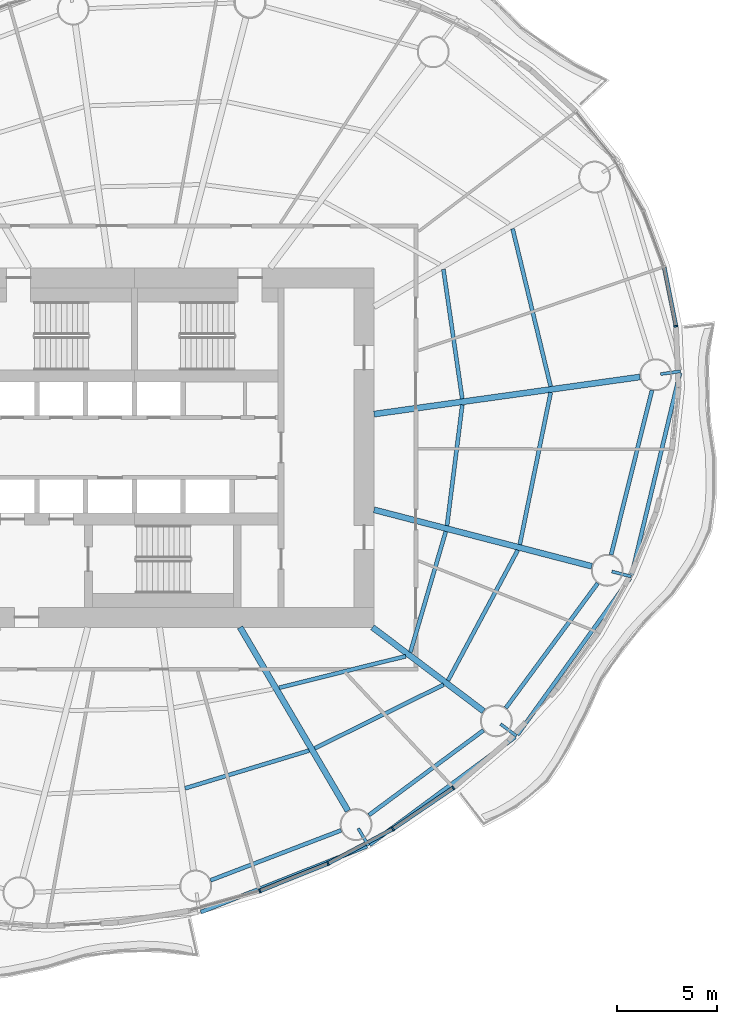
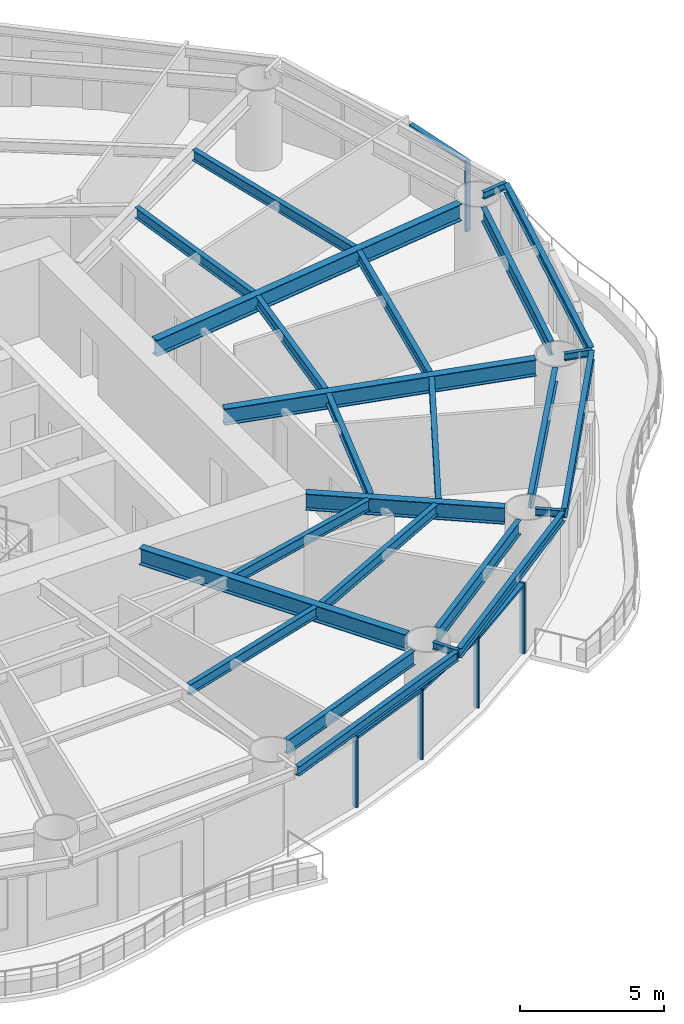
# One storey, part 4 of 14: 25 beams, 9 members, 4 elements without a shape of their own.
"""IFC4 building model written with IfcOpenShell, lengths in metres."""

from ifc_helpers import new_model, si_unit, direction, frame, origin, origin_2d, place, context, subcontext, project, spatial, rectangle, i_section, extrude, material, material_profile, profile_set, type_object, element, aggregate, save


model = new_model("IFC4")

# Units and contexts
model_context = context("Model", 3, precision=1e-05, world=origin(), true_north=direction((0.0, 1.0)))
body_context = subcontext(model_context, "Body", "Model", "MODEL_VIEW")
ifc_project = project(units=[si_unit("LENGTHUNIT", "METRE"), si_unit("AREAUNIT", "SQUARE_METRE"), si_unit("VOLUMEUNIT", "CUBIC_METRE"), si_unit("PLANEANGLEUNIT", "RADIAN"), si_unit("MASSUNIT", "GRAM", prefix="KILO")], contexts=[model_context])

# Site, building, storey
site_placement = place(None, origin())
site = spatial("IfcSite", under=ifc_project, at=site_placement, CompositionType="ELEMENT")
building_placement = place(site_placement, origin())
building = spatial("IfcBuilding", under=site, at=building_placement, Name="Vermilion Reach Broadcast Tower", CompositionType="ELEMENT")
storey_placement = place(building_placement, frame((0.0, 0.0, 131.800048828125)))
storey = spatial("IfcBuildingStorey", under=building, at=storey_placement, Name="L31", CompositionType="ELEMENT", Elevation=131.800048828125)

# Beams
ifc_material_1 = material(Name="Steel S355J2", Category="steel")
ifc_material_profile_1 = material_profile(ifc_material_1, i_section(OverallWidth=0.199951171875, OverallDepth=0.39990234375, WebThickness=0.008056640625, FlangeThickness=0.012939453125, at=origin_2d()), Name="S355J2 HN 400x200x8x13")
ifc_profile_set_1 = profile_set([ifc_material_profile_1], Name="Steel S355J2")
beam_type_1 = type_object("IfcBeamType", Name="EB2 HN 400x200x8x13", PredefinedType="BEAM", material=ifc_profile_set_1)
beam_1_placement = place(storey_placement, frame((-2.67578125, -23.26171875, 3.199951171875), z_axis=(0.929570815112, 0.368643594401, 0.0), x_axis=(-0.368643594401, 0.929570815112, 0.0)))
element("IfcBeam", 1, at=beam_1_placement, inside=storey, type_object=beam_type_1, Name="Edge beam EB2-12", PredefinedType="BEAM", context=body_context, shape_type="SweptSolid", body=[
    extrude(i_section(OverallWidth=0.199951171875, OverallDepth=0.39990234375, WebThickness=0.008056640625, FlangeThickness=0.012939453125, at=origin_2d()), origin(), (0.0, 0.0, 1.0), 8.953857421875),
])
beam_2_placement = place(storey_placement, frame((5.778564453125, -19.88818359375, 3.199951171875), z_axis=(0.803813589862, 0.594881259373, 0.0), x_axis=(-0.594881259373, 0.803813589862, 0.0)))
element("IfcBeam", 2, at=beam_2_placement, inside=storey, type_object=beam_type_1, Name="Edge beam EB2-13", PredefinedType="BEAM", context=body_context, shape_type="SweptSolid", body=[
    extrude(i_section(OverallWidth=0.199951171875, OverallDepth=0.39990234375, WebThickness=0.008056640625, FlangeThickness=0.012939453125, at=origin_2d()), origin(), (0.0, 0.0, 1.0), 9.072265625),
])
beam_3_placement = place(storey_placement, frame((13.177734375, -14.3837890625, 3.199951171875), z_axis=(0.583777873634, 0.811913415492, 0.0), x_axis=(-0.811913415492, 0.583777873634, 0.0)))
element("IfcBeam", 3, at=beam_3_placement, inside=storey, type_object=beam_type_1, Name="Edge beam EB2-14", PredefinedType="BEAM", context=body_context, shape_type="SweptSolid", body=[
    extrude(i_section(OverallWidth=0.199951171875, OverallDepth=0.39990234375, WebThickness=0.008056640625, FlangeThickness=0.012939453125, at=origin_2d()), origin(), (0.0, 0.0, 1.0), 9.682861328125),
])
beam_4_placement = place(storey_placement, frame((18.894775390625, -6.384033203125, 3.199951171875), z_axis=(0.233210643731, 0.972426241753, 0.0), x_axis=(-0.972426241753, 0.233210643731, 0.0)))
element("IfcBeam", 4, at=beam_4_placement, inside=storey, type_object=beam_type_1, Name="Edge beam EB2-15", PredefinedType="BEAM", context=body_context, shape_type="SweptSolid", body=[
    extrude(i_section(OverallWidth=0.199951171875, OverallDepth=0.39990234375, WebThickness=0.008056640625, FlangeThickness=0.012939453125, at=origin_2d()), origin(), (0.0, 0.0, 1.0), 10.4111328125),
])
ifc_material_2 = material(Name="Steel S355J2", Category="steel")
ifc_material_profile_2 = material_profile(ifc_material_2, i_section(OverallWidth=0.300048828125, OverallDepth=0.699951171875, WebThickness=0.012939453125, FlangeThickness=0.02392578125, at=origin_2d()), Name="S355J2 HN 700x300x13x24")
ifc_profile_set_2 = profile_set([ifc_material_profile_2], Name="Steel S355J2")
beam_type_2 = type_object("IfcBeamType", Name="G2 HN 700x300x13x24", PredefinedType="BEAM", material=ifc_profile_set_2)
beam_5_placement = place(storey_placement, frame((-0.709228515625, -9.0, 3.050048828125), z_axis=(0.506783943634, -0.862073102744, 0.0), x_axis=(0.862073102744, 0.506783943634, 0.0)))
element("IfcBeam", 5, at=beam_5_placement, inside=storey, type_object=beam_type_2, Name="Girder G2-13", PredefinedType="BEAM", context=body_context, shape_type="SweptSolid", body=[
    extrude(i_section(OverallWidth=0.300048828125, OverallDepth=0.699951171875, WebThickness=0.012939453125, FlangeThickness=0.02392578125, at=origin_2d()), origin(), (0.0, 0.0, 1.0), 10.661865234375),
])
beam_6_placement = place(storey_placement, frame((5.921630859375, -9.0, 3.050048828125), z_axis=(0.798113534072, -0.602507084382, 0.0), x_axis=(0.602507084382, 0.798113534072, 0.0)))
element("IfcBeam", 6, at=beam_6_placement, inside=storey, type_object=beam_type_2, Name="Girder G2-14", PredefinedType="BEAM", context=body_context, shape_type="SweptSolid", body=[
    extrude(i_section(OverallWidth=0.300048828125, OverallDepth=0.699951171875, WebThickness=0.012939453125, FlangeThickness=0.02392578125, at=origin_2d()), origin(), (0.0, 0.0, 1.0), 6.971923828125),
])
beam_7_placement = place(storey_placement, frame((6.0, -3.114501953125, 3.050048828125), z_axis=(0.967926079816, -0.2512351568, 0.0), x_axis=(0.2512351568, 0.967926079816, 0.0)))
element("IfcBeam", 7, at=beam_7_placement, inside=storey, type_object=beam_type_2, Name="Girder G2-15", PredefinedType="BEAM", context=body_context, shape_type="SweptSolid", body=[
    extrude(i_section(OverallWidth=0.300048828125, OverallDepth=0.699951171875, WebThickness=0.012939453125, FlangeThickness=0.02392578125, at=origin_2d()), origin(), (0.0, 0.0, 1.0), 11.265625),
])
beam_8_placement = place(storey_placement, frame((6.0, 1.67578125, 3.050048828125), z_axis=(0.990389457618, 0.138306623986, 0.0), x_axis=(-0.138306623986, 0.990389457618, 0.0)))
element("IfcBeam", 8, at=beam_8_placement, inside=storey, type_object=beam_type_2, Name="Girder G2-16", PredefinedType="BEAM", context=body_context, shape_type="SweptSolid", body=[
    extrude(i_section(OverallWidth=0.300048828125, OverallDepth=0.699951171875, WebThickness=0.012939453125, FlangeThickness=0.02392578125, at=origin_2d()), origin(), (0.0, 0.0, 1.0), 13.445556640625),
])
ifc_material_3 = material(Name="Steel S355J2", Category="steel")
ifc_material_profile_3 = material_profile(ifc_material_3, i_section(OverallWidth=0.14990234375, OverallDepth=0.300048828125, WebThickness=0.006591796875, FlangeThickness=0.009033203125, at=origin_2d()), Name="S355J2 HN 300x150x6.5x9")
ifc_profile_set_3 = profile_set([ifc_material_profile_3], Name="Steel S355J2")
beam_type_3 = type_object("IfcBeamType", Name="GS2 HN 300x150x6.5x9", PredefinedType="BEAM", material=ifc_profile_set_3)
for number, where, z_axis, x_axis, name in (
    (9, (5.211181640625, -19.071044921875, 3.25), (0.506828068037, -0.862047161964, 0.0), (0.862047161964, 0.506828068037, 0.0), "Cantilever stub GS2-13"),
    (10, (12.3359375, -13.842041015625, 3.25), (0.798091683473, -0.602536027779, 0.0), (0.602536027779, 0.798091683473, 0.0), "Cantilever stub GS2-14"),
):
    element("IfcBeam", number, at=place(storey_placement, frame(where, z_axis=z_axis, x_axis=x_axis)), inside=storey, type_object=beam_type_3, Name=name, PredefinedType="BEAM", context=body_context, shape_type="SweptSolid", body=[
        extrude(i_section(OverallWidth=0.14990234375, OverallDepth=0.300048828125, WebThickness=0.006591796875, FlangeThickness=0.009033203125, at=origin_2d()), origin(), (0.0, 0.0, 1.0), 1.0),
    ])
for number, where, z_axis, x_axis, name in (
    (11, (17.909423828125, -6.20556640625, 3.25), (0.967919958758, -0.251258738033, 0.0), (0.251258738033, 0.967919958758, 0.0), "Cantilever stub GS2-15"),
    (12, (20.351318359375, 3.679931640625, 3.25), (0.990369889118, 0.138446678286, 0.0), (-0.138446678286, 0.990369889118, 0.0), "Cantilever stub GS2-16"),
):
    element("IfcBeam", number, at=place(storey_placement, frame(where, z_axis=z_axis, x_axis=x_axis)), inside=storey, type_object=beam_type_3, Name=name, PredefinedType="BEAM", context=body_context, shape_type="SweptSolid", body=[
        extrude(i_section(OverallWidth=0.14990234375, OverallDepth=0.300048828125, WebThickness=0.006591796875, FlangeThickness=0.009033203125, at=origin_2d()), origin(), (0.0, 0.0, 1.0), 0.999755859375),
    ])
ifc_material_4 = material(Name="Steel S355J2", Category="steel")
ifc_material_profile_4 = material_profile(ifc_material_4, i_section(OverallWidth=0.199951171875, OverallDepth=0.60009765625, WebThickness=0.010986328125, FlangeThickness=0.01708984375, at=origin_2d()), Name="S355J2 HN 600x200x11x17")
ifc_profile_set_4 = profile_set([ifc_material_profile_4], Name="Steel S355J2")
beam_type_4 = type_object("IfcBeamType", Name="RB2 HN 600x200x11x17", PredefinedType="BEAM", material=ifc_profile_set_4)
beam_9_placement = place(storey_placement, frame((-2.186767578125, -21.669677734375, 3.099853515625), z_axis=(0.933939237212, 0.357431813353, 0.0), x_axis=(-0.357431813353, 0.933939237212, 0.0)))
element("IfcBeam", 13, at=beam_9_placement, inside=storey, type_object=beam_type_4, Name="Ring beam RB2-12", PredefinedType="BEAM", context=body_context, shape_type="SweptSolid", body=[
    extrude(i_section(OverallWidth=0.199951171875, OverallDepth=0.60009765625, WebThickness=0.010986328125, FlangeThickness=0.01708984375, at=origin_2d()), origin(), (0.0, 0.0, 1.0), 7.001953125),
])
beam_10_placement = place(storey_placement, frame((5.74267578125, -18.4052734375, 3.099853515625), z_axis=(0.803832742218, 0.594855379515, 0.0), x_axis=(-0.594855379515, 0.803832742218, 0.0)))
element("IfcBeam", 14, at=beam_10_placement, inside=storey, type_object=beam_type_4, Name="Ring beam RB2-13", PredefinedType="BEAM", context=body_context, shape_type="SweptSolid", body=[
    extrude(i_section(OverallWidth=0.199951171875, OverallDepth=0.60009765625, WebThickness=0.010986328125, FlangeThickness=0.01708984375, at=origin_2d()), origin(), (0.0, 0.0, 1.0), 7.13916015625),
])
beam_11_placement = place(storey_placement, frame((12.59912109375, -13.03857421875, 3.099853515625), z_axis=(0.593250534798, 0.80501788984, 0.0), x_axis=(-0.80501788984, 0.593250534798, 0.0)))
element("IfcBeam", 15, at=beam_11_placement, inside=storey, type_object=beam_type_4, Name="Ring beam RB2-14", PredefinedType="BEAM", context=body_context, shape_type="SweptSolid", body=[
    extrude(i_section(OverallWidth=0.199951171875, OverallDepth=0.60009765625, WebThickness=0.010986328125, FlangeThickness=0.01708984375, at=origin_2d()), origin(), (0.0, 0.0, 1.0), 7.76220703125),
])
beam_12_placement = place(storey_placement, frame((17.871337890625, -5.369384765625, 3.099853515625), z_axis=(0.240863809798, 0.970558924089, 0.0), x_axis=(-0.970558924089, 0.240863809798, 0.0)))
element("IfcBeam", 16, at=beam_12_placement, inside=storey, type_object=beam_type_4, Name="Ring beam RB2-15", PredefinedType="BEAM", context=body_context, shape_type="SweptSolid", body=[
    extrude(i_section(OverallWidth=0.199951171875, OverallDepth=0.60009765625, WebThickness=0.010986328125, FlangeThickness=0.01708984375, at=origin_2d()), origin(), (0.0, 0.0, 1.0), 8.489013671875),
])
ifc_material_5 = material(Name="Steel S355J2", Category="steel")
ifc_material_profile_5 = material_profile(ifc_material_5, i_section(OverallWidth=0.199951171875, OverallDepth=0.449951171875, WebThickness=0.009033203125, FlangeThickness=0.013916015625, at=origin_2d()), Name="S355J2 HN 450x200x9x14")
ifc_profile_set_5 = profile_set([ifc_material_profile_5], Name="Steel S355J2")
beam_type_5 = type_object("IfcBeamType", Name="SB2 HN 450x200x9x14", PredefinedType="BEAM", material=ifc_profile_set_5)
beam_13_placement = place(storey_placement, frame((-3.46533203125, -17.064697265625, 3.175048828125), z_axis=(0.956596430605, 0.291415972374, 0.0), x_axis=(-0.291415972374, 0.956596430605, 0.0)))
element("IfcBeam", 17, at=beam_13_placement, inside=storey, type_object=beam_type_5, Name="Secondary beam SB2-12-2", PredefinedType="BEAM", context=body_context, shape_type="SweptSolid", body=[
    extrude(i_section(OverallWidth=0.199951171875, OverallDepth=0.449951171875, WebThickness=0.009033203125, FlangeThickness=0.013916015625, at=origin_2d()), origin(), (0.0, 0.0, 1.0), 6.49267578125),
])
beam_14_placement = place(storey_placement, frame((1.24365234375, -12.026123046875, 3.175048828125), z_axis=(0.970396717612, 0.241516480695, 0.0), x_axis=(-0.241516480695, 0.970396717612, 0.0)))
element("IfcBeam", 18, at=beam_14_placement, inside=storey, type_object=beam_type_5, Name="Secondary beam SB2-13-1", PredefinedType="BEAM", context=body_context, shape_type="SweptSolid", body=[
    extrude(i_section(OverallWidth=0.199951171875, OverallDepth=0.449951171875, WebThickness=0.009033203125, FlangeThickness=0.013916015625, at=origin_2d()), origin(), (0.0, 0.0, 1.0), 6.539306640625),
])
beam_15_placement = place(storey_placement, frame((3.02783203125, -15.06103515625, 3.175048828125), z_axis=(0.896648255868, 0.442743611189, 0.0), x_axis=(-0.442743611189, 0.896648255868, 0.0)))
element("IfcBeam", 19, at=beam_15_placement, inside=storey, type_object=beam_type_5, Name="Secondary beam SB2-13-2", PredefinedType="BEAM", context=body_context, shape_type="SweptSolid", body=[
    extrude(i_section(OverallWidth=0.199951171875, OverallDepth=0.449951171875, WebThickness=0.009033203125, FlangeThickness=0.013916015625, at=origin_2d()), origin(), (0.0, 0.0, 1.0), 7.19677734375),
])
beam_16_placement = place(storey_placement, frame((7.821533203125, -10.246337890625, 3.175048828125), z_axis=(0.281175657723, 0.959656318431, 0.0), x_axis=(-0.959656318431, 0.281175657723, 0.0)))
element("IfcBeam", 20, at=beam_16_placement, inside=storey, type_object=beam_type_5, Name="Secondary beam SB2-14-1", PredefinedType="BEAM", context=body_context, shape_type="SweptSolid", body=[
    extrude(i_section(OverallWidth=0.199951171875, OverallDepth=0.449951171875, WebThickness=0.009033203125, FlangeThickness=0.013916015625, at=origin_2d()), origin(), (0.0, 0.0, 1.0), 6.298583984375),
])
beam_17_placement = place(storey_placement, frame((9.702880859375, -11.66650390625, 3.175048828125), z_axis=(0.471821551693, 0.881694064491, 0.0), x_axis=(-0.881694064491, 0.471821551693, 0.0)))
element("IfcBeam", 21, at=beam_17_placement, inside=storey, type_object=beam_type_5, Name="Secondary beam SB2-14-2", PredefinedType="BEAM", context=body_context, shape_type="SweptSolid", body=[
    extrude(i_section(OverallWidth=0.199951171875, OverallDepth=0.449951171875, WebThickness=0.009033203125, FlangeThickness=0.013916015625, at=origin_2d()), origin(), (0.0, 0.0, 1.0), 7.405029296875),
])
beam_18_placement = place(storey_placement, frame((9.65380859375, -3.907958984375, 3.175048828125), z_axis=(0.125557241128, 0.992086376885, 0.0), x_axis=(-0.992086376885, 0.125557241128, 0.0)))
element("IfcBeam", 22, at=beam_18_placement, inside=storey, type_object=beam_type_5, Name="Secondary beam SB2-15-1", PredefinedType="BEAM", context=body_context, shape_type="SweptSolid", body=[
    extrude(i_section(OverallWidth=0.199951171875, OverallDepth=0.449951171875, WebThickness=0.009033203125, FlangeThickness=0.013916015625, at=origin_2d()), origin(), (0.0, 0.0, 1.0), 6.097900390625),
])
beam_19_placement = place(storey_placement, frame((13.29931640625, -4.854248046875, 3.175048828125), z_axis=(0.19906416804, 0.979986457561, 0.0), x_axis=(-0.979986457561, 0.19906416804, 0.0)))
element("IfcBeam", 23, at=beam_19_placement, inside=storey, type_object=beam_type_5, Name="Secondary beam SB2-15-2", PredefinedType="BEAM", context=body_context, shape_type="SweptSolid", body=[
    extrude(i_section(OverallWidth=0.199951171875, OverallDepth=0.449951171875, WebThickness=0.009033203125, FlangeThickness=0.013916015625, at=origin_2d()), origin(), (0.0, 0.0, 1.0), 7.76953125),
])
beam_20_placement = place(storey_placement, frame((10.417236328125, 2.444091796875, 3.175048828125), z_axis=(-0.143973706518, 0.989581513485, 0.0), x_axis=(-0.989581513485, -0.143973706518, 0.0)))
element("IfcBeam", 24, at=beam_20_placement, inside=storey, type_object=beam_type_5, Name="Secondary beam SB2-16-1", PredefinedType="BEAM", context=body_context, shape_type="SweptSolid", body=[
    extrude(i_section(OverallWidth=0.199951171875, OverallDepth=0.449951171875, WebThickness=0.009033203125, FlangeThickness=0.013916015625, at=origin_2d()), origin(), (0.0, 0.0, 1.0), 6.547119140625),
])
beam_21_placement = place(storey_placement, frame((14.84228515625, 3.06201171875, 3.175048828125), z_axis=(-0.234260568382, 0.972173845617, 0.0), x_axis=(-0.972173845617, -0.234260568382, 0.0)))
element("IfcBeam", 25, at=beam_21_placement, inside=storey, type_object=beam_type_5, Name="Secondary beam SB2-16-2", PredefinedType="BEAM", context=body_context, shape_type="SweptSolid", body=[
    extrude(i_section(OverallWidth=0.199951171875, OverallDepth=0.449951171875, WebThickness=0.009033203125, FlangeThickness=0.013916015625, at=origin_2d()), origin(), (0.0, 0.0, 1.0), 8.123779296875),
])

# Curtain wall, member
ifc_material_6 = material(Name="Low-e laminated clear glass in aluminium frame", Category="aluminium")
curtain_wall_type = type_object("IfcCurtainWallType", Name="Slot curtain wall", PredefinedType="NOTDEFINED", material=ifc_material_6)
placement = place(storey_placement, origin())
curtain_wall_1 = element("IfcCurtainWall", 26, at=placement, inside=storey, type_object=curtain_wall_type, Name="Slot curtain wall L31 46", PredefinedType="NOTDEFINED")
ifc_material_7 = material(Name="Anodised aluminium", Category="aluminium")
ifc_material_profile_6 = material_profile(ifc_material_7, rectangle(XDim=0.199951171875, YDim=0.080078125, at=origin_2d()), Name="Slot mullion 80 x 200")
ifc_profile_set_6 = profile_set([ifc_material_profile_6], Name="Anodised aluminium")
member_type_1 = type_object("IfcMemberType", Name="Slot mullion 80 x 200", PredefinedType="MULLION", material=ifc_profile_set_6)
member_1_placement = place(storey_placement, frame((21.115966796875, 6.079833984375, 0.0), z_axis=(0.0, 0.0, 1.0), x_axis=(-0.992785491453, -0.119903994765, 0.0)))
member_1 = element("IfcMember", 27, at=member_1_placement, type_object=member_type_1, Name="Slot mullion L31 46", PredefinedType="MULLION", context=body_context, shape_type="SweptSolid", body=[
    extrude(rectangle(XDim=0.199951171875, YDim=0.080078125, at=origin_2d()), origin(), (0.0, 0.0, 1.0), 3.0),
])

curtain_wall_2 = element("IfcCurtainWall", 28, at=placement, inside=storey, type_object=curtain_wall_type, Name="Slot curtain wall L31 35", PredefinedType="NOTDEFINED")
member_2_placement = place(storey_placement, frame((0.279541015625, -22.2001953125, 0.0), z_axis=(0.0, 0.0, 1.0), x_axis=(-0.322167699546, 0.946682614908, 0.0)))
member_2 = element("IfcMember", 29, at=member_2_placement, type_object=member_type_1, Name="Slot mullion L31 35", PredefinedType="MULLION", context=body_context, shape_type="SweptSolid", body=[
    extrude(rectangle(XDim=0.199951171875, YDim=0.080078125, at=origin_2d()), origin(), (0.0, 0.0, 1.0), 3.0),
])

curtain_wall_3 = element("IfcCurtainWall", 30, at=placement, inside=storey, type_object=curtain_wall_type, Name="Slot curtain wall L31 36", PredefinedType="NOTDEFINED")
member_3_placement = place(storey_placement, frame((3.694580078125, -20.828125, 0.0), z_axis=(0.0, 0.0, 1.0), x_axis=(-0.42198538075, 0.906602635355, 0.0)))
member_3 = element("IfcMember", 31, at=member_3_placement, type_object=member_type_1, Name="Slot mullion L31 36", PredefinedType="MULLION", context=body_context, shape_type="SweptSolid", body=[
    extrude(rectangle(XDim=0.199951171875, YDim=0.080078125, at=origin_2d()), origin(), (0.0, 0.0, 1.0), 3.0),
])

# Curtain wall, members
curtain_wall_4 = element("IfcCurtainWall", 32, at=placement, inside=storey, type_object=curtain_wall_type, Name="Slot curtain wall L31 37", PredefinedType="NOTDEFINED")
member_4_placement = place(storey_placement, frame((6.943115234375, -19.098388671875, 0.0), z_axis=(0.0, 0.0, 1.0), x_axis=(-0.51692081828, 0.856033216428, 0.0)))
member_4 = element("IfcMember", 33, at=member_4_placement, type_object=member_type_1, Name="Slot mullion L31 37", PredefinedType="MULLION", context=body_context, shape_type="SweptSolid", body=[
    extrude(rectangle(XDim=0.199951171875, YDim=0.080078125, at=origin_2d()), origin(), (0.0, 0.0, 1.0), 3.0),
])
member_5_placement = place(storey_placement, frame((9.968994140625, -17.040771484375, 0.0), z_axis=(0.0, 0.0, 1.0), x_axis=(-0.60683503187, 0.794827807827, 0.0)))
member_5 = element("IfcMember", 34, at=member_5_placement, type_object=member_type_1, Name="Slot mullion L31 38", PredefinedType="MULLION", context=body_context, shape_type="SweptSolid", body=[
    extrude(rectangle(XDim=0.199951171875, YDim=0.080078125, at=origin_2d()), origin(), (0.0, 0.0, 1.0), 3.0),
])

# Member
ifc_material_8 = material(Name="Anodised aluminium", Category="aluminium")
ifc_material_profile_7 = material_profile(ifc_material_8, rectangle(XDim=0.199951171875, YDim=0.10009765625, at=origin_2d()), Name="Slot transom 200 x 100")
ifc_profile_set_7 = profile_set([ifc_material_profile_7], Name="Anodised aluminium")
member_type_2 = type_object("IfcMemberType", Name="Slot transom 200 x 100", PredefinedType="USERDEFINED", material=ifc_profile_set_7)
member_6_placement = place(storey_placement, frame((21.108154296875, 6.119140625, 2.949951171875), z_axis=(-0.196179889522, 0.980567922659, 0.0), x_axis=(-0.980567922659, -0.196179889522, 0.0)))
member_6 = element("IfcMember", 35, at=member_6_placement, type_object=member_type_2, Name="Slot transom L31 46.1", ObjectType="TRANSOM", PredefinedType="USERDEFINED", context=body_context, shape_type="SweptSolid", body=[
    extrude(rectangle(XDim=0.199951171875, YDim=0.10009765625, at=origin_2d()), origin(), (0.0, 0.0, 1.0), 2.945556640625),
])

aggregate(curtain_wall_1, [member_1, member_6])

member_7_placement = place(storey_placement, frame((0.316650390625, -22.18505859375, 2.949951171875), z_axis=(0.927928516949, 0.372758188955, 0.0), x_axis=(-0.372758188955, 0.927928516949, 0.0)))
member_7 = element("IfcMember", 36, at=member_7_placement, type_object=member_type_2, Name="Slot transom L31 35.1", ObjectType="TRANSOM", PredefinedType="USERDEFINED", context=body_context, shape_type="SweptSolid", body=[
    extrude(rectangle(XDim=0.199951171875, YDim=0.10009765625, at=origin_2d()), origin(), (0.0, 0.0, 1.0), 3.600341796875),
])

aggregate(curtain_wall_2, [member_2, member_7])

member_8_placement = place(storey_placement, frame((3.72998046875, -20.809326171875, 2.949951171875), z_axis=(0.882673715609, 0.469986288921, 0.0), x_axis=(-0.469986288921, 0.882673715609, 0.0)))
member_8 = element("IfcMember", 37, at=member_8_placement, type_object=member_type_2, Name="Slot transom L31 36.1", ObjectType="TRANSOM", PredefinedType="USERDEFINED", context=body_context, shape_type="SweptSolid", body=[
    extrude(rectangle(XDim=0.199951171875, YDim=0.10009765625, at=origin_2d()), origin(), (0.0, 0.0, 1.0), 3.600341796875),
])

aggregate(curtain_wall_3, [member_3, member_8])

member_9_placement = place(storey_placement, frame((6.976318359375, -19.075927734375, 2.949951171875), z_axis=(0.826915083741, 0.5623268127, 0.0), x_axis=(-0.5623268127, 0.826915083741, 0.0)))
member_9 = element("IfcMember", 38, at=member_9_placement, type_object=member_type_2, Name="Slot transom L31 37.1", ObjectType="TRANSOM", PredefinedType="USERDEFINED", context=body_context, shape_type="SweptSolid", body=[
    extrude(rectangle(XDim=0.199951171875, YDim=0.10009765625, at=origin_2d()), origin(), (0.0, 0.0, 1.0), 3.579345703125),
])

aggregate(curtain_wall_4, [member_4, member_5, member_9])

save(model, "model.ifc")
